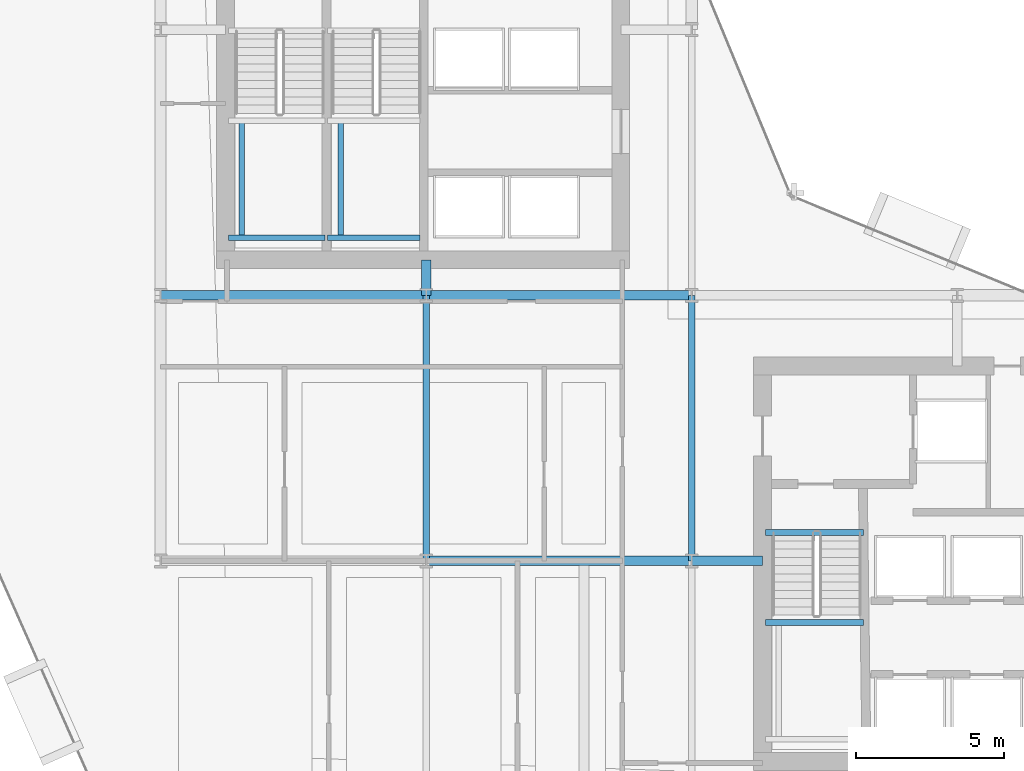
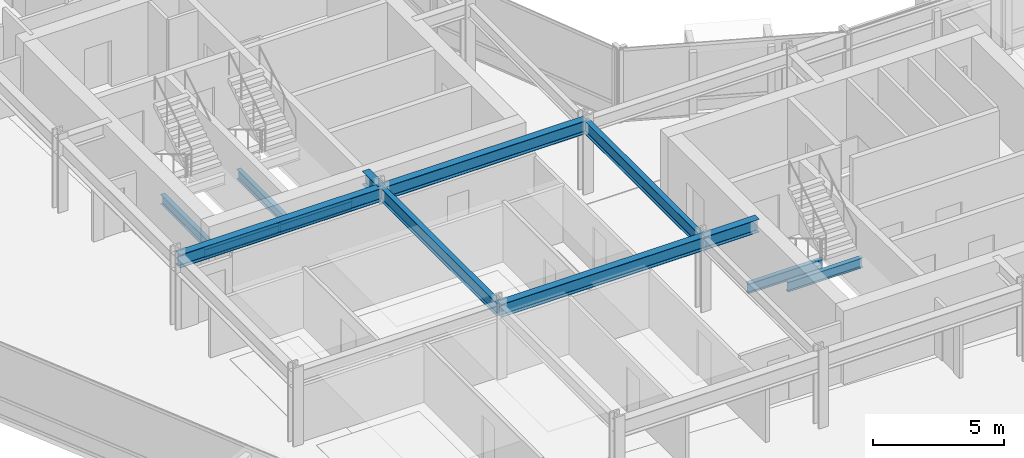
# One storey, part 7 of 34: 13 beams.
"""IFC4 building model written with IfcOpenShell, lengths in metres."""

from ifc_helpers import new_model, si_unit, direction, frame, origin, origin_2d, place, context, subcontext, project, spatial, i_section, extrude, material, material_profile, profile_set, type_object, element, save


model = new_model("IFC4")

# Units and contexts
model_context = context("Model", 3, precision=1e-05, world=origin(), true_north=direction((0.0, 1.0)))
body_context = subcontext(model_context, "Body", "Model", "MODEL_VIEW")
ifc_project = project(units=[si_unit("LENGTHUNIT", "METRE"), si_unit("AREAUNIT", "SQUARE_METRE"), si_unit("VOLUMEUNIT", "CUBIC_METRE"), si_unit("PLANEANGLEUNIT", "RADIAN"), si_unit("MASSUNIT", "GRAM", prefix="KILO")], contexts=[model_context])

# Site, building, storey
site_placement = place(None, origin())
site = spatial("IfcSite", under=ifc_project, at=site_placement, CompositionType="ELEMENT")
building_placement = place(site_placement, origin())
building = spatial("IfcBuilding", under=site, at=building_placement, Name="Solvaryn Broadcast Tower", CompositionType="ELEMENT")
storey_placement = place(building_placement, frame((0.0, 0.0, 69.300048828125)))
storey = spatial("IfcBuildingStorey", under=building, at=storey_placement, Name="L16", CompositionType="ELEMENT", Elevation=69.300048828125)

# Beams
ifc_material_1 = material(Name="Steel ASTM A992 Grade 50", Category="steel")
ifc_material_profile_1 = material_profile(ifc_material_1, i_section(OverallWidth=0.323974609375, OverallDepth=0.611083984375, WebThickness=0.0126953125, FlangeThickness=0.01904296875, FilletRadius=0.014892578125, at=origin_2d()))
ifc_profile_set_1 = profile_set([ifc_material_profile_1], Name="Steel ASTM A992 Grade 50")
beam_type_1 = type_object("IfcBeamType", Name="BM-B1-W24X104", PredefinedType="BEAM", material=ifc_profile_set_1)
for number, where, z_axis, x_axis, name in (
    (1, (18.0, 18.0, 3.114501953125), (1.0, 0.0, 0.0), (0.0, 1.0, 0.0), "L16 Primary Beam X (18-27 @ Y=18)"),
    (2, (9.0, 27.0, 3.114501953125), (1.0, 0.0, 0.0), (0.0, 1.0, 0.0), "L16 Primary Beam X (9-18 @ Y=27)"),
    (3, (18.0, 27.0, 3.114501953125), (1.0, 0.0, 0.0), (0.0, 1.0, 0.0), "L16 Primary Beam X (18-27 @ Y=27)"),
):
    element("IfcBeam", number, at=place(storey_placement, frame(where, z_axis=z_axis, x_axis=x_axis)), inside=storey, type_object=beam_type_1, Name=name, PredefinedType="BEAM", context=body_context, shape_type="SweptSolid", body=[
        extrude(i_section(OverallWidth=0.323974609375, OverallDepth=0.611083984375, WebThickness=0.0126953125, FlangeThickness=0.01904296875, FilletRadius=0.014892578125, at=origin_2d()), origin(), (0.0, 0.0, 1.0), 9.0),
    ])
beam_1_placement = place(storey_placement, frame((18.0, 27.0, 3.114501953125), z_axis=(0.0, 1.0, 0.0), x_axis=(-1.0, 0.0, 0.0)))
element("IfcBeam", 4, at=beam_1_placement, inside=storey, type_object=beam_type_1, Name="L16 Core Tie Beam CTW4", PredefinedType="BEAM", context=body_context, shape_type="SweptSolid", body=[
    extrude(i_section(OverallWidth=0.323974609375, OverallDepth=0.611083984375, WebThickness=0.0126953125, FlangeThickness=0.01904296875, FilletRadius=0.014892578125, at=origin_2d()), origin(), (0.0, 0.0, 1.0), 1.199951171875),
])
beam_2_placement = place(storey_placement, frame((27.0, 18.0, 3.114501953125), z_axis=(1.0, 0.0, 0.0), x_axis=(0.0, 1.0, 0.0)))
element("IfcBeam", 5, at=beam_2_placement, inside=storey, type_object=beam_type_1, Name="L16 Core Tie Beam CTE4", PredefinedType="BEAM", context=body_context, shape_type="SweptSolid", body=[
    extrude(i_section(OverallWidth=0.323974609375, OverallDepth=0.611083984375, WebThickness=0.0126953125, FlangeThickness=0.01904296875, FilletRadius=0.014892578125, at=origin_2d()), origin(), (0.0, 0.0, 1.0), 2.39990234375),
])
ifc_material_2 = material(Name="Steel ASTM A992 Grade 50", Category="steel")
ifc_material_profile_2 = material_profile(ifc_material_2, i_section(OverallWidth=0.22802734375, OverallDepth=0.60791015625, WebThickness=0.01123046875, FlangeThickness=0.017333984375, FilletRadius=0.014892578125, at=origin_2d()))
ifc_profile_set_2 = profile_set([ifc_material_profile_2], Name="Steel ASTM A992 Grade 50")
beam_type_2 = type_object("IfcBeamType", Name="BM-B2-W24X76", PredefinedType="BEAM", material=ifc_profile_set_2)
for number, where, z_axis, x_axis, name in (
    (6, (18.0, 18.0, 3.115966796875), (0.0, 1.0, 0.0), (-1.0, 0.0, 0.0), "L16 Primary Beam Y (18-27 @ X=18)"),
    (7, (27.0, 18.0, 3.115966796875), (0.0, 1.0, 0.0), (-1.0, 0.0, 0.0), "L16 Primary Beam Y (18-27 @ X=27)"),
):
    element("IfcBeam", number, at=place(storey_placement, frame(where, z_axis=z_axis, x_axis=x_axis)), inside=storey, type_object=beam_type_2, Name=name, PredefinedType="BEAM", context=body_context, shape_type="SweptSolid", body=[
        extrude(i_section(OverallWidth=0.22802734375, OverallDepth=0.60791015625, WebThickness=0.01123046875, FlangeThickness=0.017333984375, FilletRadius=0.014892578125, at=origin_2d()), origin(), (0.0, 0.0, 1.0), 9.0),
    ])
ifc_material_3 = material(Name="Steel ASTM A992 Grade 50", Category="steel")
ifc_material_profile_3 = material_profile(ifc_material_3, i_section(OverallWidth=0.18994140625, OverallDepth=0.45703125, WebThickness=0.009033203125, FlangeThickness=0.014404296875, FilletRadius=0.011962890625, at=origin_2d()))
ifc_profile_set_3 = profile_set([ifc_material_profile_3], Name="Steel ASTM A992 Grade 50")
beam_type_3 = type_object("IfcBeamType", Name="BM-B4-W18X50", PredefinedType="BEAM", material=ifc_profile_set_3)
beam_3_placement = place(storey_placement, frame((11.300048828125, 28.949951171875, 1.42138671875), z_axis=(1.0, 0.0, 0.0), x_axis=(0.0, 1.0, 0.0)))
element("IfcBeam", 8, at=beam_3_placement, inside=storey, type_object=beam_type_3, Name="L16 ST1 Landing Support Beam 1A", PredefinedType="BEAM", context=body_context, shape_type="SweptSolid", body=[
    extrude(i_section(OverallWidth=0.18994140625, OverallDepth=0.45703125, WebThickness=0.009033203125, FlangeThickness=0.014404296875, FilletRadius=0.011962890625, at=origin_2d()), origin(), (0.0, 0.0, 1.0), 3.280029296875),
])
beam_4_placement = place(storey_placement, frame((11.75, 28.949951171875, 1.42138671875), z_axis=(0.0, 1.0, 0.0), x_axis=(-1.0, 0.0, 0.0)))
element("IfcBeam", 9, at=beam_4_placement, inside=storey, type_object=beam_type_3, Name="L16 ST1 Landing Cross Stringer 1C", PredefinedType="BEAM", context=body_context, shape_type="SweptSolid", body=[
    extrude(i_section(OverallWidth=0.18994140625, OverallDepth=0.45703125, WebThickness=0.009033203125, FlangeThickness=0.014404296875, FilletRadius=0.011962890625, at=origin_2d()), origin(), (0.0, 0.0, 1.0), 3.9599609375),
])
beam_5_placement = place(storey_placement, frame((14.659912109375, 28.949951171875, 1.42138671875), z_axis=(1.0, 0.0, 0.0), x_axis=(0.0, 1.0, 0.0)))
element("IfcBeam", 10, at=beam_5_placement, inside=storey, type_object=beam_type_3, Name="L16 ST2 Landing Support Beam 1A", PredefinedType="BEAM", context=body_context, shape_type="SweptSolid", body=[
    extrude(i_section(OverallWidth=0.18994140625, OverallDepth=0.45703125, WebThickness=0.009033203125, FlangeThickness=0.014404296875, FilletRadius=0.011962890625, at=origin_2d()), origin(), (0.0, 0.0, 1.0), 3.14013671875),
])
beam_6_placement = place(storey_placement, frame((15.110107421875, 28.949951171875, 1.42138671875), z_axis=(0.0, 1.0, 0.0), x_axis=(-1.0, 0.0, 0.0)))
element("IfcBeam", 11, at=beam_6_placement, inside=storey, type_object=beam_type_3, Name="L16 ST2 Landing Cross Stringer 1C", PredefinedType="BEAM", context=body_context, shape_type="SweptSolid", body=[
    extrude(i_section(OverallWidth=0.18994140625, OverallDepth=0.45703125, WebThickness=0.009033203125, FlangeThickness=0.014404296875, FilletRadius=0.011962890625, at=origin_2d()), origin(), (0.0, 0.0, 1.0), 3.9599609375),
])
for number, where, z_axis, x_axis, name in (
    (12, (29.5, 18.9599609375, -0.508544921875), (1.0, 0.0, 0.0), (0.0, 1.0, 0.0), "L16 ST3 Stair Well Trimmer Beam"),
    (13, (29.5, 15.909912109375, 1.42138671875), (1.0, 0.0, 0.0), (0.0, 1.0, 0.0), "L16 ST3 Landing Support Beam 1B"),
):
    element("IfcBeam", number, at=place(storey_placement, frame(where, z_axis=z_axis, x_axis=x_axis)), inside=storey, type_object=beam_type_3, Name=name, PredefinedType="BEAM", context=body_context, shape_type="SweptSolid", body=[
        extrude(i_section(OverallWidth=0.18994140625, OverallDepth=0.45703125, WebThickness=0.009033203125, FlangeThickness=0.014404296875, FilletRadius=0.011962890625, at=origin_2d()), origin(), (0.0, 0.0, 1.0), 3.320068359375),
    ])

save(model, "model.ifc")
